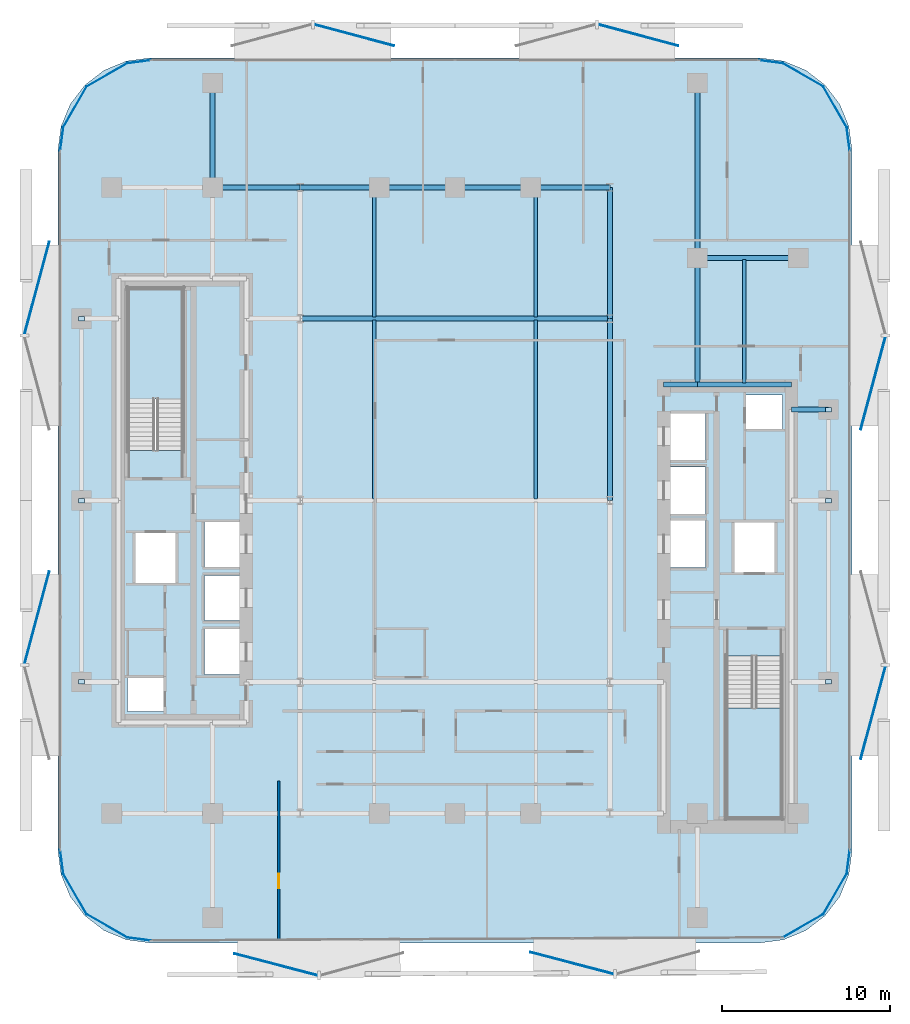
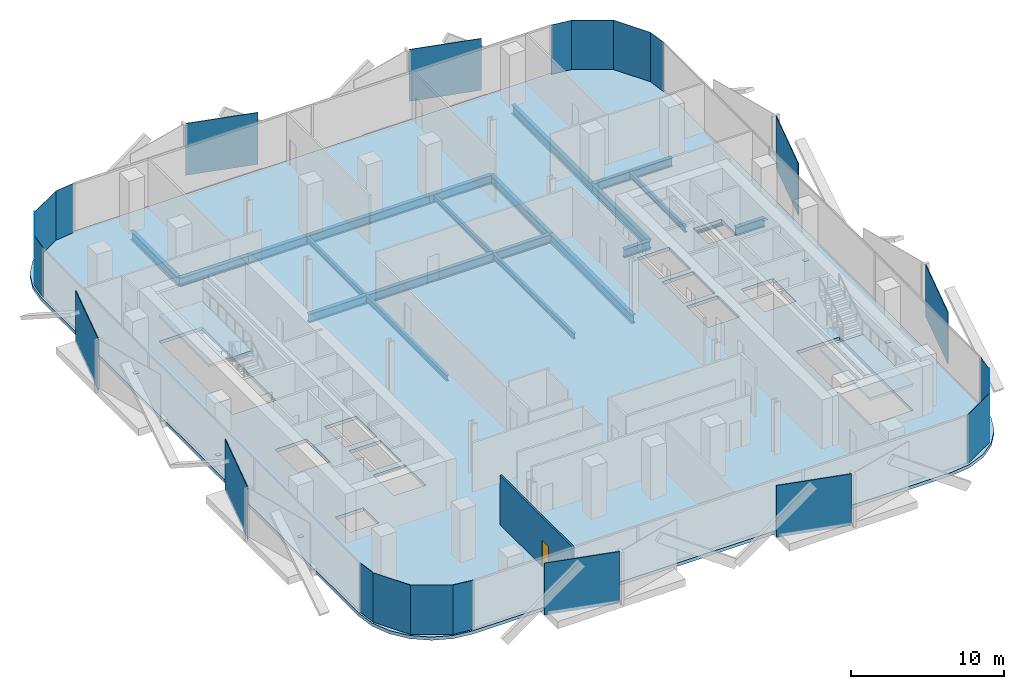
# One storey, part 2 of 15: 29 plates, 20 beams, 3 slabs, 1 door, 1 wall, 1 opening, 2 elements without a shape of their own.
"""IFC4 building model written with IfcOpenShell, lengths in metres."""

from ifc_helpers import new_model, si_unit, direction, frame, frame_2d, origin, origin_2d, place, context, subcontext, project, spatial, polyline, rectangle, i_section, outline, extrude, material, layer, layer_set, material_profile, profile_set, type_object, element, fill, aggregate, save


model = new_model("IFC4")

# Units and contexts
model_context = context("Model", 3, precision=1e-05, world=origin(), true_north=direction((0.0, 1.0)))
body_context = subcontext(model_context, "Body", "Model", "MODEL_VIEW")
ifc_project = project(units=[si_unit("LENGTHUNIT", "METRE"), si_unit("AREAUNIT", "SQUARE_METRE"), si_unit("VOLUMEUNIT", "CUBIC_METRE"), si_unit("PLANEANGLEUNIT", "RADIAN"), si_unit("MASSUNIT", "GRAM", prefix="KILO")], contexts=[model_context])

# Site, building, storey
site_placement = place(None, origin())
site = spatial("IfcSite", under=ifc_project, at=site_placement, CompositionType="ELEMENT")
building_placement = place(site_placement, origin())
building = spatial("IfcBuilding", under=site, at=building_placement, Name="Khairoan Windgate Tower", CompositionType="ELEMENT")
storey_placement = place(building_placement, frame((0.0, 0.0, 118.39990234375)))
storey = spatial("IfcBuildingStorey", under=building, at=storey_placement, Name="L27", CompositionType="ELEMENT", Elevation=118.39990234375)

# Beams
ifc_material_1 = material(Name="Steel S355", Category="steel")
ifc_material_profile_1 = material_profile(ifc_material_1, i_section(OverallWidth=0.300048828125, OverallDepth=0.699951171875, WebThickness=0.012939453125, FlangeThickness=0.02392578125, FilletRadius=0.02587890625, at=origin_2d()))
ifc_profile_set_1 = profile_set([ifc_material_profile_1], Name="Steel S355")
beam_type_1 = type_object("IfcBeamType", Name="Beam B-G3 H700x300x13x24", PredefinedType="BEAM", material=ifc_profile_set_1)
beam_1_placement = place(storey_placement, frame((20.0, 5.39990234375, -0.60986328125), z_axis=(1.0, 0.0, 0.0), x_axis=(0.0, 1.0, 0.0)))
element("IfcBeam", 1, at=beam_1_placement, inside=storey, type_object=beam_type_1, Name="L27 E-W Primary Girder 19", PredefinedType="BEAM", context=body_context, shape_type="SweptSolid", body=[
    extrude(i_section(OverallWidth=0.300048828125, OverallDepth=0.699951171875, WebThickness=0.012939453125, FlangeThickness=0.02392578125, FilletRadius=0.02587890625, at=origin_2d()), origin(), (0.0, 0.0, 1.0), 2.199951171875),
])
beam_2_placement = place(storey_placement, frame((12.39990234375, 6.89990234375, -0.60986328125), z_axis=(1.0, 0.0, 0.0), x_axis=(0.0, 1.0, 0.0)))
element("IfcBeam", 2, at=beam_2_placement, inside=storey, type_object=beam_type_1, Name="L27 E-W Primary Girder 20", PredefinedType="BEAM", context=body_context, shape_type="SweptSolid", body=[
    extrude(i_section(OverallWidth=0.300048828125, OverallDepth=0.699951171875, WebThickness=0.012939453125, FlangeThickness=0.02392578125, FilletRadius=0.02587890625, at=origin_2d()), origin(), (0.0, 0.0, 1.0), 2.0),
])
beam_3_placement = place(storey_placement, frame((14.39990234375, 6.89990234375, -0.60986328125), z_axis=(1.0, 0.0, 0.0), x_axis=(0.0, 1.0, 0.0)))
element("IfcBeam", 3, at=beam_3_placement, inside=storey, type_object=beam_type_1, Name="L27 E-W Primary Girder 21", PredefinedType="BEAM", context=body_context, shape_type="SweptSolid", body=[
    extrude(i_section(OverallWidth=0.300048828125, OverallDepth=0.699951171875, WebThickness=0.012939453125, FlangeThickness=0.02392578125, FilletRadius=0.02587890625, at=origin_2d()), origin(), (0.0, 0.0, 1.0), 5.60009765625),
])
beam_4_placement = place(storey_placement, frame((-9.199951171875, 10.800048828125, -0.60986328125), z_axis=(1.0, 0.0, 0.0), x_axis=(0.0, 1.0, 0.0)))
element("IfcBeam", 4, at=beam_4_placement, inside=storey, type_object=beam_type_1, Name="L27 E-W Primary Girder 24", PredefinedType="BEAM", context=body_context, shape_type="SweptSolid", body=[
    extrude(i_section(OverallWidth=0.300048828125, OverallDepth=0.699951171875, WebThickness=0.012939453125, FlangeThickness=0.02392578125, FilletRadius=0.02587890625, at=origin_2d()), origin(), (0.0, 0.0, 1.0), 18.39990234375),
])
beam_5_placement = place(storey_placement, frame((14.39990234375, 14.39990234375, -0.60986328125), z_axis=(1.0, 0.0, 0.0), x_axis=(0.0, 1.0, 0.0)))
element("IfcBeam", 5, at=beam_5_placement, inside=storey, type_object=beam_type_1, Name="L27 E-W Primary Girder 27", PredefinedType="BEAM", context=body_context, shape_type="SweptSolid", body=[
    extrude(i_section(OverallWidth=0.300048828125, OverallDepth=0.699951171875, WebThickness=0.012939453125, FlangeThickness=0.02392578125, FilletRadius=0.02587890625, at=origin_2d()), origin(), (0.0, 0.0, 1.0), 6.0),
])
beam_6_placement = place(storey_placement, frame((-14.39990234375, 18.60009765625, -0.60986328125), z_axis=(1.0, 0.0, 0.0), x_axis=(0.0, 1.0, 0.0)))
element("IfcBeam", 6, at=beam_6_placement, inside=storey, type_object=beam_type_1, Name="L27 E-W Primary Girder 29", PredefinedType="BEAM", context=body_context, shape_type="SweptSolid", body=[
    extrude(i_section(OverallWidth=0.300048828125, OverallDepth=0.699951171875, WebThickness=0.012939453125, FlangeThickness=0.02392578125, FilletRadius=0.02587890625, at=origin_2d()), origin(), (0.0, 0.0, 1.0), 5.199951171875),
])
beam_7_placement = place(storey_placement, frame((-9.199951171875, 18.60009765625, -0.60986328125), z_axis=(1.0, 0.0, 0.0), x_axis=(0.0, 1.0, 0.0)))
element("IfcBeam", 7, at=beam_7_placement, inside=storey, type_object=beam_type_1, Name="L27 E-W Primary Girder 30", PredefinedType="BEAM", context=body_context, shape_type="SweptSolid", body=[
    extrude(i_section(OverallWidth=0.300048828125, OverallDepth=0.699951171875, WebThickness=0.012939453125, FlangeThickness=0.02392578125, FilletRadius=0.02587890625, at=origin_2d()), origin(), (0.0, 0.0, 1.0), 4.699951171875),
])
for number, where, z_axis, x_axis, name in (
    (8, (-4.5, 18.60009765625, -0.60986328125), (1.0, 0.0, 0.0), (0.0, 1.0, 0.0), "L27 E-W Primary Girder 31"),
    (9, (0.0, 18.60009765625, -0.60986328125), (1.0, 0.0, 0.0), (0.0, 1.0, 0.0), "L27 E-W Primary Girder 32"),
):
    element("IfcBeam", number, at=place(storey_placement, frame(where, z_axis=z_axis, x_axis=x_axis)), inside=storey, type_object=beam_type_1, Name=name, PredefinedType="BEAM", context=body_context, shape_type="SweptSolid", body=[
        extrude(i_section(OverallWidth=0.300048828125, OverallDepth=0.699951171875, WebThickness=0.012939453125, FlangeThickness=0.02392578125, FilletRadius=0.02587890625, at=origin_2d()), origin(), (0.0, 0.0, 1.0), 4.5),
    ])
beam_8_placement = place(storey_placement, frame((4.5, 18.60009765625, -0.60986328125), z_axis=(1.0, 0.0, 0.0), x_axis=(0.0, 1.0, 0.0)))
element("IfcBeam", 10, at=beam_8_placement, inside=storey, type_object=beam_type_1, Name="L27 E-W Primary Girder 33", PredefinedType="BEAM", context=body_context, shape_type="SweptSolid", body=[
    extrude(i_section(OverallWidth=0.300048828125, OverallDepth=0.699951171875, WebThickness=0.012939453125, FlangeThickness=0.02392578125, FilletRadius=0.02587890625, at=origin_2d()), origin(), (0.0, 0.0, 1.0), 4.699951171875),
])
beam_9_placement = place(storey_placement, frame((-14.39990234375, 18.60009765625, -0.60986328125), z_axis=(0.0, 1.0, 0.0), x_axis=(-1.0, 0.0, 0.0)))
element("IfcBeam", 11, at=beam_9_placement, inside=storey, type_object=beam_type_1, Name="L27 N-S Primary Beam 43", PredefinedType="BEAM", context=body_context, shape_type="SweptSolid", body=[
    extrude(i_section(OverallWidth=0.300048828125, OverallDepth=0.699951171875, WebThickness=0.012939453125, FlangeThickness=0.02392578125, FilletRadius=0.02587890625, at=origin_2d()), origin(), (0.0, 0.0, 1.0), 6.199951171875),
])
beam_10_placement = place(storey_placement, frame((9.199951171875, 0.0, -0.60986328125), z_axis=(0.0, 1.0, 0.0), x_axis=(-1.0, 0.0, 0.0)))
element("IfcBeam", 12, at=beam_10_placement, inside=storey, type_object=beam_type_1, Name="L27 N-S Primary Beam 53", PredefinedType="BEAM", context=body_context, shape_type="SweptSolid", body=[
    extrude(i_section(OverallWidth=0.300048828125, OverallDepth=0.699951171875, WebThickness=0.012939453125, FlangeThickness=0.02392578125, FilletRadius=0.02587890625, at=origin_2d()), origin(), (0.0, 0.0, 1.0), 10.800048828125),
])
beam_11_placement = place(storey_placement, frame((9.199951171875, 10.800048828125, -0.60986328125), z_axis=(0.0, 1.0, 0.0), x_axis=(-1.0, 0.0, 0.0)))
element("IfcBeam", 13, at=beam_11_placement, inside=storey, type_object=beam_type_1, Name="L27 N-S Primary Beam 54", PredefinedType="BEAM", context=body_context, shape_type="SweptSolid", body=[
    extrude(i_section(OverallWidth=0.300048828125, OverallDepth=0.699951171875, WebThickness=0.012939453125, FlangeThickness=0.02392578125, FilletRadius=0.02587890625, at=origin_2d()), origin(), (0.0, 0.0, 1.0), 7.800048828125),
])
beam_12_placement = place(storey_placement, frame((14.39990234375, 6.89990234375, -0.60986328125), z_axis=(0.0, 1.0, 0.0), x_axis=(-1.0, 0.0, 0.0)))
element("IfcBeam", 14, at=beam_12_placement, inside=storey, type_object=beam_type_1, Name="L27 N-S Primary Beam 57", PredefinedType="BEAM", context=body_context, shape_type="SweptSolid", body=[
    extrude(i_section(OverallWidth=0.300048828125, OverallDepth=0.699951171875, WebThickness=0.012939453125, FlangeThickness=0.02392578125, FilletRadius=0.02587890625, at=origin_2d()), origin(), (0.0, 0.0, 1.0), 7.5),
])
beam_13_placement = place(storey_placement, frame((14.39990234375, 14.39990234375, -0.60986328125), z_axis=(0.0, 1.0, 0.0), x_axis=(-1.0, 0.0, 0.0)))
element("IfcBeam", 15, at=beam_13_placement, inside=storey, type_object=beam_type_1, Name="L27 N-S Primary Beam 58", PredefinedType="BEAM", context=body_context, shape_type="SweptSolid", body=[
    extrude(i_section(OverallWidth=0.300048828125, OverallDepth=0.699951171875, WebThickness=0.012939453125, FlangeThickness=0.02392578125, FilletRadius=0.02587890625, at=origin_2d()), origin(), (0.0, 0.0, 1.0), 10.400146484375),
])
ifc_material_2 = material(Name="Steel S355", Category="steel")
ifc_material_profile_2 = material_profile(ifc_material_2, i_section(OverallWidth=0.199951171875, OverallDepth=0.449951171875, WebThickness=0.009033203125, FlangeThickness=0.013916015625, FilletRadius=0.01806640625, at=origin_2d()))
ifc_profile_set_2 = profile_set([ifc_material_profile_2], Name="Steel S355")
beam_type_2 = type_object("IfcBeamType", Name="Beam J-S3 H450x200x9x14", PredefinedType="JOIST", material=ifc_profile_set_2)
beam_14_placement = place(storey_placement, frame((-4.800048828125, 0.090087890625, -0.48486328125), z_axis=(0.0, 1.0, 0.0), x_axis=(-1.0, 0.0, 0.0)))
element("IfcBeam", 16, at=beam_14_placement, inside=storey, type_object=beam_type_2, Name="L27 Secondary Floor Joist 05", PredefinedType="JOIST", context=body_context, shape_type="SweptSolid", body=[
    extrude(i_section(OverallWidth=0.199951171875, OverallDepth=0.449951171875, WebThickness=0.009033203125, FlangeThickness=0.013916015625, FilletRadius=0.01806640625, at=origin_2d()), origin(), (0.0, 0.0, 1.0), 10.619873046875),
])
beam_15_placement = place(storey_placement, frame((-4.800048828125, 10.889892578125, -0.48486328125), z_axis=(0.0, 1.0, 0.0), x_axis=(-1.0, 0.0, 0.0)))
element("IfcBeam", 17, at=beam_15_placement, inside=storey, type_object=beam_type_2, Name="L27 Secondary Floor Joist 06", PredefinedType="JOIST", context=body_context, shape_type="SweptSolid", body=[
    extrude(i_section(OverallWidth=0.199951171875, OverallDepth=0.449951171875, WebThickness=0.009033203125, FlangeThickness=0.013916015625, FilletRadius=0.01806640625, at=origin_2d()), origin(), (0.0, 0.0, 1.0), 7.6201171875),
])
beam_16_placement = place(storey_placement, frame((4.800048828125, 0.090087890625, -0.48486328125), z_axis=(0.0, 1.0, 0.0), x_axis=(-1.0, 0.0, 0.0)))
element("IfcBeam", 18, at=beam_16_placement, inside=storey, type_object=beam_type_2, Name="L27 Secondary Floor Joist 09", PredefinedType="JOIST", context=body_context, shape_type="SweptSolid", body=[
    extrude(i_section(OverallWidth=0.199951171875, OverallDepth=0.449951171875, WebThickness=0.009033203125, FlangeThickness=0.013916015625, FilletRadius=0.01806640625, at=origin_2d()), origin(), (0.0, 0.0, 1.0), 10.619873046875),
])
beam_17_placement = place(storey_placement, frame((4.800048828125, 10.889892578125, -0.48486328125), z_axis=(0.0, 1.0, 0.0), x_axis=(-1.0, 0.0, 0.0)))
element("IfcBeam", 19, at=beam_17_placement, inside=storey, type_object=beam_type_2, Name="L27 Secondary Floor Joist 10", PredefinedType="JOIST", context=body_context, shape_type="SweptSolid", body=[
    extrude(i_section(OverallWidth=0.199951171875, OverallDepth=0.449951171875, WebThickness=0.009033203125, FlangeThickness=0.013916015625, FilletRadius=0.01806640625, at=origin_2d()), origin(), (0.0, 0.0, 1.0), 7.6201171875),
])
beam_18_placement = place(storey_placement, frame((17.199951171875, 6.989990234375, -0.48486328125), z_axis=(0.0, 1.0, 0.0), x_axis=(-1.0, 0.0, 0.0)))
element("IfcBeam", 20, at=beam_18_placement, inside=storey, type_object=beam_type_2, Name="L27 Secondary Floor Joist 11", PredefinedType="JOIST", context=body_context, shape_type="SweptSolid", body=[
    extrude(i_section(OverallWidth=0.199951171875, OverallDepth=0.449951171875, WebThickness=0.009033203125, FlangeThickness=0.013916015625, FilletRadius=0.01806640625, at=origin_2d()), origin(), (0.0, 0.0, 1.0), 7.320068359375),
])

# Plates
ifc_material_3 = material(Name="Low-E Solar Control Laminated Glass", Category="glass")
ifc_layer_1 = layer(ifc_material_3, 0.030029296875, Name="Low-E Solar Control Laminated Glass")
ifc_layer_set_1 = layer_set([ifc_layer_1], Name="Low-E Solar Control Laminated Glass")
plate_type_1 = type_object("IfcPlateType", Name="Aerodynamic Wind-Corner Curved Glazing Plate", PredefinedType="USERDEFINED", material=ifc_layer_set_1)
plate_placement = place(storey_placement, frame((-18.788818359375, -26.068115234375, 0.000244140625), z_axis=(0.0, 0.0, 1.0), x_axis=(-0.991444861374, 0.13052619222, 0.0)))
element("IfcPlate", 21, at=plate_placement, inside=storey, type_object=plate_type_1, Name="L27 Aerodynamic Wind-Corner Curved Glazing Panel 2", ObjectType="GLAZING PANEL", PredefinedType="USERDEFINED", context=body_context, shape_type="SweptSolid", body=[
    extrude(rectangle(XDim=1.4482421875, YDim=0.028076171875, at=origin_2d()), origin(), (0.0, 0.0, 1.0), 3.93994140625),
])
for number, where, z_axis, x_axis, name in (
    (22, (-20.688232421875, -25.28271484375, 0.000244140625), (0.0, 0.0, 1.0), (-0.866025403784, 0.5, 0.0), "L27 Aerodynamic Wind-Corner Curved Glazing Panel 3"),
    (23, (-22.582763671875, -23.38818359375, 0.000244140625), (0.0, 0.0, 1.0), (-0.5, 0.866025403784, 0.0), "L27 Aerodynamic Wind-Corner Curved Glazing Panel 4"),
):
    element("IfcPlate", number, at=place(storey_placement, frame(where, z_axis=z_axis, x_axis=x_axis)), inside=storey, type_object=plate_type_1, Name=name, ObjectType="GLAZING PANEL", PredefinedType="USERDEFINED", context=body_context, shape_type="SweptSolid", body=[
        extrude(rectangle(XDim=2.81396484375, YDim=0.028076171875, at=origin_2d()), origin(), (0.0, 0.0, 1.0), 3.93994140625),
    ])
for number, where, z_axis, x_axis, name in (
    (24, (-23.3681640625, -21.489013671875, 0.000244140625), (0.0, 0.0, 1.0), (-0.13052619222, 0.991444861374, 0.0), "L27 Aerodynamic Wind-Corner Curved Glazing Panel 5"),
    (25, (-23.3681640625, 21.489013671875, 0.000244140625), (0.0, 0.0, 1.0), (0.13052619222, 0.991444861374, 0.0), "L27 Aerodynamic Wind-Corner Curved Glazing Panel 7"),
):
    element("IfcPlate", number, at=place(storey_placement, frame(where, z_axis=z_axis, x_axis=x_axis)), inside=storey, type_object=plate_type_1, Name=name, ObjectType="GLAZING PANEL", PredefinedType="USERDEFINED", context=body_context, shape_type="SweptSolid", body=[
        extrude(rectangle(XDim=1.4482421875, YDim=0.028076171875, at=origin_2d()), origin(), (0.0, 0.0, 1.0), 3.93994140625),
    ])
for number, where, z_axis, x_axis, name in (
    (26, (-22.582763671875, 23.38818359375, 0.000244140625), (0.0, 0.0, 1.0), (0.5, 0.866025403784, 0.0), "L27 Aerodynamic Wind-Corner Curved Glazing Panel 8"),
    (27, (-20.688232421875, 25.28271484375, 0.000244140625), (0.0, 0.0, 1.0), (0.866025403784, 0.5, 0.0), "L27 Aerodynamic Wind-Corner Curved Glazing Panel 9"),
):
    element("IfcPlate", number, at=place(storey_placement, frame(where, z_axis=z_axis, x_axis=x_axis)), inside=storey, type_object=plate_type_1, Name=name, ObjectType="GLAZING PANEL", PredefinedType="USERDEFINED", context=body_context, shape_type="SweptSolid", body=[
        extrude(rectangle(XDim=2.81396484375, YDim=0.028076171875, at=origin_2d()), origin(), (0.0, 0.0, 1.0), 3.93994140625),
    ])
for number, where, z_axis, x_axis, name in (
    (28, (-18.788818359375, 26.068115234375, 0.000244140625), (0.0, 0.0, 1.0), (0.991444861374, 0.13052619222, 0.0), "L27 Aerodynamic Wind-Corner Curved Glazing Panel 10"),
    (29, (18.788818359375, 26.068115234375, 0.000244140625), (0.0, 0.0, 1.0), (0.991444861374, -0.13052619222, 0.0), "L27 Aerodynamic Wind-Corner Curved Glazing Panel 12"),
):
    element("IfcPlate", number, at=place(storey_placement, frame(where, z_axis=z_axis, x_axis=x_axis)), inside=storey, type_object=plate_type_1, Name=name, ObjectType="GLAZING PANEL", PredefinedType="USERDEFINED", context=body_context, shape_type="SweptSolid", body=[
        extrude(rectangle(XDim=1.4482421875, YDim=0.028076171875, at=origin_2d()), origin(), (0.0, 0.0, 1.0), 3.93994140625),
    ])
for number, where, z_axis, x_axis, name in (
    (30, (20.688232421875, 25.28271484375, 0.000244140625), (0.0, 0.0, 1.0), (0.866025403784, -0.5, 0.0), "L27 Aerodynamic Wind-Corner Curved Glazing Panel 13"),
    (31, (22.582763671875, 23.38818359375, 0.000244140625), (0.0, 0.0, 1.0), (0.5, -0.866025403784, 0.0), "L27 Aerodynamic Wind-Corner Curved Glazing Panel 14"),
):
    element("IfcPlate", number, at=place(storey_placement, frame(where, z_axis=z_axis, x_axis=x_axis)), inside=storey, type_object=plate_type_1, Name=name, ObjectType="GLAZING PANEL", PredefinedType="USERDEFINED", context=body_context, shape_type="SweptSolid", body=[
        extrude(rectangle(XDim=2.81396484375, YDim=0.028076171875, at=origin_2d()), origin(), (0.0, 0.0, 1.0), 3.93994140625),
    ])
for number, where, z_axis, x_axis, name in (
    (32, (23.3681640625, 21.489013671875, 0.000244140625), (0.0, 0.0, 1.0), (0.13052619222, -0.991444861374, 0.0), "L27 Aerodynamic Wind-Corner Curved Glazing Panel 15"),
    (33, (23.3681640625, -21.489013671875, 0.000244140625), (0.0, 0.0, 1.0), (-0.13052619222, -0.991444861374, 0.0), "L27 Aerodynamic Wind-Corner Curved Glazing Panel 17"),
):
    element("IfcPlate", number, at=place(storey_placement, frame(where, z_axis=z_axis, x_axis=x_axis)), inside=storey, type_object=plate_type_1, Name=name, ObjectType="GLAZING PANEL", PredefinedType="USERDEFINED", context=body_context, shape_type="SweptSolid", body=[
        extrude(rectangle(XDim=1.4482421875, YDim=0.028076171875, at=origin_2d()), origin(), (0.0, 0.0, 1.0), 3.93994140625),
    ])
for number, where, z_axis, x_axis, name in (
    (34, (22.582763671875, -23.38818359375, 0.000244140625), (0.0, 0.0, 1.0), (-0.5, -0.866025403784, 0.0), "L27 Aerodynamic Wind-Corner Curved Glazing Panel 18"),
    (35, (20.688232421875, -25.28271484375, 0.000244140625), (0.0, 0.0, 1.0), (-0.866025403784, -0.5, 0.0), "L27 Aerodynamic Wind-Corner Curved Glazing Panel 19"),
):
    element("IfcPlate", number, at=place(storey_placement, frame(where, z_axis=z_axis, x_axis=x_axis)), inside=storey, type_object=plate_type_1, Name=name, ObjectType="GLAZING PANEL", PredefinedType="USERDEFINED", context=body_context, shape_type="SweptSolid", body=[
        extrude(rectangle(XDim=2.81396484375, YDim=0.028076171875, at=origin_2d()), origin(), (0.0, 0.0, 1.0), 3.93994140625),
    ])
ifc_material_4 = material(Name="Steel S355", Category="steel")
ifc_layer_2 = layer(ifc_material_4, 0.0400390625, Name="Steel S355")
ifc_layer_set_2 = layer_set([ifc_layer_2], Name="Steel S355")
plate_type_2 = type_object("IfcPlateType", Name="Hollow Section End-Cap Plate PL-CAP40", PredefinedType="SHEET", material=ifc_layer_set_2)
for number, where, z_axis, x_axis, name in (
    (36, (-22.199951171875, -10.784912109375, -0.454833984375), (0.0, 0.0, 1.0), (0.0, 1.0, 0.0), "BM-SP-L27-034 steel end-cap plate 1"),
    (37, (-22.199951171875, -0.014892578125, -0.454833984375), (0.0, 0.0, 1.0), (0.0, 1.0, 0.0), "BM-SP-L27-034 steel end-cap plate 2"),
    (38, (-22.199951171875, 10.784912109375, -0.454833984375), (0.0, 0.0, 1.0), (0.0, 1.0, 0.0), "BM-SP-L27-035 steel end-cap plate 2"),
    (39, (22.199951171875, -10.784912109375, -0.454833984375), (0.0, 0.0, 1.0), (0.0, 1.0, 0.0), "BM-SP-L27-062 steel end-cap plate 1"),
    (40, (22.199951171875, -0.014892578125, -0.454833984375), (0.0, 0.0, 1.0), (0.0, 1.0, 0.0), "BM-SP-L27-062 steel end-cap plate 2"),
    (41, (22.199951171875, 5.385009765625, -0.454833984375), (0.0, 0.0, 1.0), (0.0, 1.0, 0.0), "BM-SP-L27-063 steel end-cap plate 2"),
):
    element("IfcPlate", number, at=place(storey_placement, frame(where, z_axis=z_axis, x_axis=x_axis)), inside=storey, type_object=plate_type_2, Name=name, PredefinedType="SHEET", context=body_context, shape_type="SweptSolid", body=[
        extrude(rectangle(XDim=0.27001953125, YDim=0.3701171875, at=origin_2d()), origin(), (0.0, 0.0, 1.0), 0.0400390625),
    ])
ifc_material_5 = material(Name="Anodised Bronze Aluminium 6063-T6", Category="aluminium")
ifc_layer_3 = layer(ifc_material_5, 0.054931640625, Name="Anodised Bronze Aluminium 6063-T6")
ifc_layer_set_3 = layer_set([ifc_layer_3], Name="Anodised Bronze Aluminium 6063-T6")
plate_type_3 = type_object("IfcPlateType", Name="Perforated Bronze Solar Screen Panel BSP-1", PredefinedType="USERDEFINED", material=ifc_layer_set_3)
for number, where, z_axis, x_axis, name in (
    (42, (6.946044921875, -27.497314453125, -0.099609375), (0.0, 0.0, 1.0), (-0.967179115616, 0.254095569259, 0.0), "L27 Perforated Bronze Solar Screen Panel 161R"),
    (43, (-10.642822265625, -27.58349609375, -0.099609375), (0.0, 0.0, 1.0), (-0.967179115616, 0.254095569259, 0.0), "L27 Perforated Bronze Solar Screen Panel 162R"),
):
    element("IfcPlate", number, at=place(storey_placement, frame(where, z_axis=z_axis, x_axis=x_axis)), inside=storey, type_object=plate_type_3, Name=name, ObjectType="SCREEN", PredefinedType="USERDEFINED", context=body_context, shape_type="SweptSolid", body=[
        extrude(rectangle(XDim=5.10107421875, YDim=0.054931640625, at=origin_2d()), origin(), (0.0, 0.0, 1.0), 4.139892578125),
    ])
for number, where, z_axis, x_axis, name in (
    (44, (-24.8447265625, -6.961669921875, -0.099609375), (0.0, 0.0, 1.0), (0.258819045103, 0.965925826289, 0.0), "L27 Perforated Bronze Solar Screen Panel 163R"),
    (45, (-24.8447265625, 12.629150390625, -0.099609375), (0.0, 0.0, 1.0), (0.258819045103, 0.965925826289, 0.0), "L27 Perforated Bronze Solar Screen Panel 164R"),
):
    element("IfcPlate", number, at=place(storey_placement, frame(where, z_axis=z_axis, x_axis=x_axis)), inside=storey, type_object=plate_type_3, Name=name, ObjectType="SCREEN", PredefinedType="USERDEFINED", context=body_context, shape_type="SweptSolid", body=[
        extrude(rectangle(XDim=5.680908203125, YDim=0.054931640625, at=origin_2d()), origin(), (0.0, 0.0, 1.0), 4.139892578125),
    ])
for number, where, z_axis, x_axis, name in (
    (46, (-5.98974609375, 27.646240234375, -0.099609375), (0.0, 0.0, 1.0), (0.965925826289, -0.258819045103, 0.0), "L27 Perforated Bronze Solar Screen Panel 165R"),
    (47, (10.90087890625, 27.646240234375, -0.099609375), (0.0, 0.0, 1.0), (0.965925826289, -0.258819045103, 0.0), "L27 Perforated Bronze Solar Screen Panel 166R"),
):
    element("IfcPlate", number, at=place(storey_placement, frame(where, z_axis=z_axis, x_axis=x_axis)), inside=storey, type_object=plate_type_3, Name=name, ObjectType="SCREEN", PredefinedType="USERDEFINED", context=body_context, shape_type="SweptSolid", body=[
        extrude(rectangle(XDim=4.89794921875, YDim=0.054931640625, at=origin_2d()), origin(), (0.0, 0.0, 1.0), 4.139892578125),
    ])
for number, where, z_axis, x_axis, name in (
    (48, (24.8447265625, 6.961669921875, -0.099609375), (0.0, 0.0, 1.0), (-0.258819045103, -0.965925826289, 0.0), "L27 Perforated Bronze Solar Screen Panel 167R"),
    (49, (24.8447265625, -12.629150390625, -0.099609375), (0.0, 0.0, 1.0), (-0.258819045103, -0.965925826289, 0.0), "L27 Perforated Bronze Solar Screen Panel 168R"),
):
    element("IfcPlate", number, at=place(storey_placement, frame(where, z_axis=z_axis, x_axis=x_axis)), inside=storey, type_object=plate_type_3, Name=name, ObjectType="SCREEN", PredefinedType="USERDEFINED", context=body_context, shape_type="SweptSolid", body=[
        extrude(rectangle(XDim=5.680908203125, YDim=0.054931640625, at=origin_2d()), origin(), (0.0, 0.0, 1.0), 4.139892578125),
    ])

# Stair, slab
ifc_material_6 = material(Name="Concrete C40/50", Category="concrete")
stair_type = type_object("IfcStairType", Name="Tower Core Dog-Leg Stair ST-T1 1560mm", PredefinedType="HALF_TURN_STAIR", material=ifc_material_6)
stair_1_placement = place(storey_placement, origin())
stair_1 = element("IfcStair", 50, at=stair_1_placement, inside=storey, type_object=stair_type, Name="L27 Stair ST1", PredefinedType="HALF_TURN_STAIR")
ifc_material_7 = material(Name="Concrete C40/50", Category="concrete")
ifc_layer_4 = layer(ifc_material_7, 0.199951171875, Name="Concrete C40/50")
ifc_layer_set_4 = layer_set([ifc_layer_4], Name="Concrete C40/50")
slab_type_1 = type_object("IfcSlabType", Name="Reinforced Concrete Stair Landing Slab STL-200", PredefinedType="LANDING", material=ifc_layer_set_4)
slab_1_placement = place(storey_placement, frame((0.0, 0.0, 1.900146484375)))
slab_1 = element("IfcSlab", 51, at=slab_1_placement, type_object=slab_type_1, Name="ST1 landing 1", PredefinedType="LANDING", context=body_context, shape_type="SweptSolid", body=[
    extrude(outline(polyline([(16.14990234375, -12.340087890625), (16.14990234375, -18.89990234375), (19.419921875, -18.89990234375), (19.419921875, -12.340087890625), (16.14990234375, -12.340087890625)])), origin(), (0.0, 0.0, 1.0), 0.199951171875),
])
aggregate(stair_1, [slab_1])

stair_2_placement = place(storey_placement, origin())
stair_2 = element("IfcStair", 52, at=stair_2_placement, inside=storey, type_object=stair_type, Name="L27 Stair ST2", PredefinedType="HALF_TURN_STAIR")
slab_2_placement = place(storey_placement, frame((0.0, 0.0, 1.900146484375)))
slab_2 = element("IfcSlab", 53, at=slab_2_placement, type_object=slab_type_1, Name="ST2 landing 1", PredefinedType="LANDING", context=body_context, shape_type="SweptSolid", body=[
    extrude(outline(polyline([(-16.14990234375, 6.0400390625), (-16.14990234375, 12.60009765625), (-19.419921875, 12.60009765625), (-19.419921875, 6.0400390625), (-16.14990234375, 6.0400390625)])), origin(), (0.0, 0.0, 1.0), 0.199951171875),
])
aggregate(stair_2, [slab_2])

# Slab
ifc_material_8 = material(Name="Concrete C40/50", Category="concrete")
ifc_layer_5 = layer(ifc_material_8, 0.260009765625, Name="Concrete C40/50")
ifc_layer_set_5 = layer_set([ifc_layer_5], Name="Concrete C40/50")
slab_type_2 = type_object("IfcSlabType", Name="Tower Composite Floor Slab FS2 260mm", PredefinedType="FLOOR", material=ifc_layer_set_5)
slab_3_placement = place(storey_placement, frame((0.0, 0.0, -0.260009765625)))
element("IfcSlab", 54, at=slab_3_placement, inside=storey, type_object=slab_type_2, Name="L27 Structural Floor Slab", PredefinedType="FLOOR", context=body_context, shape_type="SweptSolid", body=[
    extrude(outline(polyline([(18.10009765625, -26.300048828125), (19.5234375, -26.112548828125), (20.85009765625, -25.56298828125), (21.989013671875, -24.689208984375), (22.863037109375, -23.550048828125), (23.41259765625, -22.223388671875), (23.60009765625, -20.800048828125), (23.60009765625, 20.800048828125), (23.41259765625, 22.223388671875), (22.863037109375, 23.550048828125), (21.989013671875, 24.689208984375), (20.85009765625, 25.56298828125), (19.5234375, 26.112548828125), (18.10009765625, 26.300048828125), (-18.10009765625, 26.300048828125), (-19.5234375, 26.112548828125), (-20.85009765625, 25.56298828125), (-21.989013671875, 24.689208984375), (-22.863037109375, 23.550048828125), (-23.41259765625, 22.223388671875), (-23.60009765625, 20.800048828125), (-23.60009765625, -20.800048828125), (-23.41259765625, -22.223388671875), (-22.863037109375, -23.550048828125), (-21.989013671875, -24.689208984375), (-20.85009765625, -25.56298828125), (-19.5234375, -26.112548828125), (-18.10009765625, -26.300048828125), (18.10009765625, -26.300048828125)]), holes=[polyline([(16.14990234375, -9.260009765625), (16.14990234375, -18.89990234375), (19.419921875, -18.89990234375), (19.419921875, -9.260009765625), (16.14990234375, -9.260009765625)]), polyline([(-16.14990234375, 2.9599609375), (-16.14990234375, 12.60009765625), (-19.419921875, 12.60009765625), (-19.419921875, 2.9599609375), (-16.14990234375, 2.9599609375)]), polyline([(-14.89990234375, -3.949951171875), (-12.5, -3.949951171875), (-12.5, -1.25), (-14.89990234375, -1.25), (-14.89990234375, -3.949951171875)]), polyline([(-14.89990234375, -7.14990234375), (-12.5, -7.14990234375), (-12.5, -4.449951171875), (-14.89990234375, -4.449951171875), (-14.89990234375, -7.14990234375)]), polyline([(-14.89990234375, -10.35009765625), (-12.5, -10.35009765625), (-12.5, -7.64990234375), (-14.89990234375, -7.64990234375), (-14.89990234375, -10.35009765625)]), polyline([(12.5, 2.39990234375), (14.89990234375, 2.39990234375), (14.89990234375, 5.199951171875), (12.5, 5.199951171875), (12.5, 2.39990234375)]), polyline([(12.5, -0.800048828125), (14.89990234375, -0.800048828125), (14.89990234375, 2.0), (12.5, 2.0), (12.5, -0.800048828125)]), polyline([(12.5, -4.0), (14.89990234375, -4.0), (14.89990234375, -1.199951171875), (12.5, -1.199951171875), (12.5, -4.0)]), polyline([(16.60009765625, -4.300048828125), (19.0, -4.300048828125), (19.0, -1.300048828125), (16.60009765625, -1.300048828125), (16.60009765625, -4.300048828125)]), polyline([(-19.0, -4.89990234375), (-16.60009765625, -4.89990234375), (-16.60009765625, -1.89990234375), (-19.0, -1.89990234375), (-19.0, -4.89990234375)]), polyline([(-19.449951171875, -12.550048828125), (-17.31005859375, -12.550048828125), (-17.31005859375, -10.550048828125), (-19.449951171875, -10.550048828125), (-19.449951171875, -12.550048828125)]), polyline([(17.31005859375, 4.25), (19.449951171875, 4.25), (19.449951171875, 6.25), (17.31005859375, 6.25), (17.31005859375, 4.25)])]), origin(), (0.0, 0.0, 1.0), 0.260009765625),
])

# Wall, opening, door
ifc_material_9 = material(Name="Acoustic Fire-Rated Gypsum Partition", Category="gypsum")
ifc_layer_6 = layer(ifc_material_9, 0.139892578125, Name="Acoustic Fire-Rated Gypsum Partition")
ifc_layer_set_6 = layer_set([ifc_layer_6], Name="Acoustic Fire-Rated Gypsum Partition")
wall_type = type_object("IfcWallType", Name="Inter-Tenancy Compartment Wall", PredefinedType="PARTITIONING", material=ifc_layer_set_6)
wall_placement = place(storey_placement, frame((-10.471923828125, -26.11767578125, 0.0), z_axis=(0.0, 0.0, 1.0), x_axis=(0.0, 1.0, 0.0)))
wall = element("IfcWall", 55, at=wall_placement, inside=storey, type_object=wall_type, Name="L27 Interior Partition 037", PredefinedType="PARTITIONING", context=body_context, shape_type="SweptSolid", body=[
    extrude(rectangle(XDim=9.437744140625, YDim=0.139892578125, at=frame_2d((4.71875, 0.0))), origin(), (0.0, 0.0, 1.0), 3.940185546875),
])
opening_placement = place(wall_placement, frame((3.083251953125, 0.0, 0.0)))
opening = element("IfcOpeningElement", 56, at=opening_placement, cuts=wall, Name="Opening FD-SRV", PredefinedType="OPENING", context=body_context, shape_type="SweptSolid", body=[
    extrude(rectangle(XDim=0.85009765625, YDim=2.10009765625, at=frame_2d((0.425048828125, 1.050048828125))), frame((0.0, 0.079833984375, 0.0), z_axis=(0.0, -1.0, 0.0), x_axis=(1.0, 0.0, 0.0)), (0.0, 0.0, 1.0), 0.159912109375),
])
ifc_material_10 = material(Name="Steel S355", Category="steel")
door_type = type_object("IfcDoorType", Name="Core Service and Riser Fire Door FD-SRV 850x2100", OperationType="NOTDEFINED", PredefinedType="DOOR", material=ifc_material_10)
door_placement = place(opening_placement, origin())
door = element("IfcDoor", 57, at=door_placement, inside=storey, type_object=door_type, Name="L27 L27-44-L27-45 Door", OperationType="SINGLE_SWING_LEFT", OverallHeight=2.10009765625, OverallWidth=0.85009765625, PredefinedType="DOOR", context=body_context, shape_type="SweptSolid", body=[
    extrude(rectangle(XDim=0.85009765625, YDim=2.10009765625, at=frame_2d((0.425048828125, 1.050048828125))), frame((0.0, 0.02490234375, 0.0), z_axis=(0.0, -1.0, 0.0), x_axis=(1.0, 0.0, 0.0)), (0.0, 0.0, 1.0), 0.050048828125),
])
fill(opening, door)

save(model, "model.ifc")
